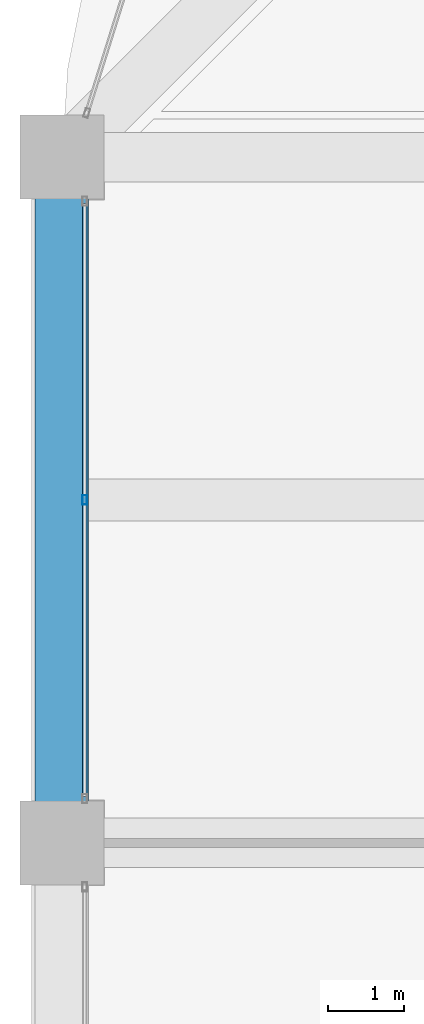
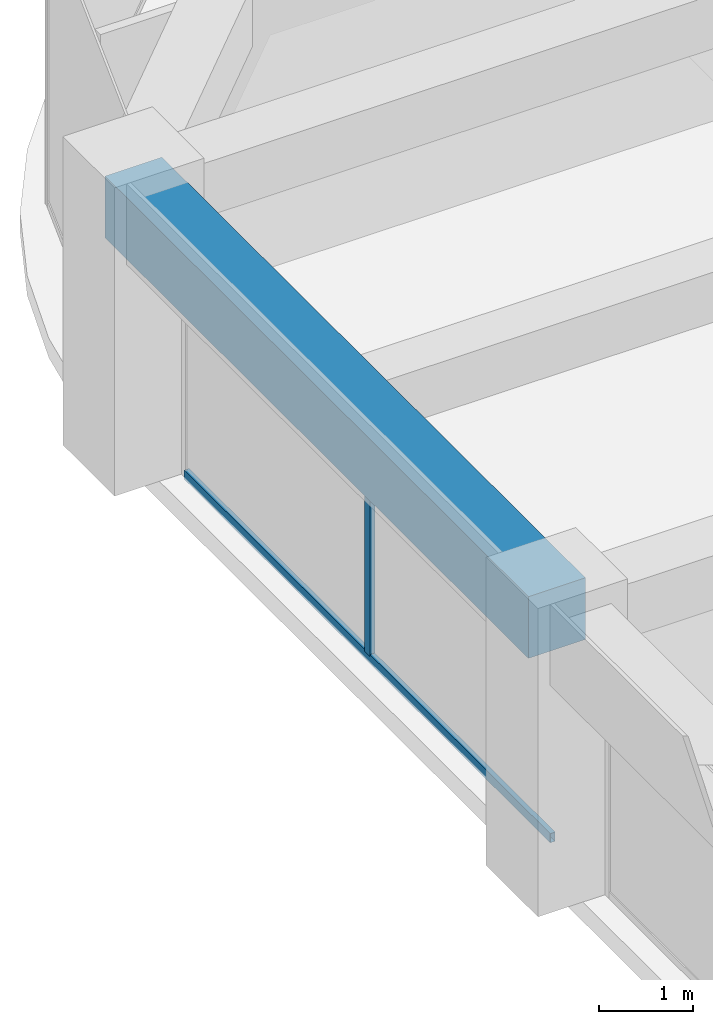
# One storey, part 16 of 44: 2 members, 1 beam, 1 element without a shape of its own.
"""IFC4 building model written with IfcOpenShell, lengths in metres."""

from ifc_helpers import new_model, si_unit, direction, frame, origin, origin_2d, place, context, subcontext, project, spatial, rectangle, hollow_rectangle, extrude, material, material_profile, profile_set, type_object, element, aggregate, save


model = new_model("IFC4")

# Units and contexts
model_context = context("Model", 3, precision=1e-05, world=origin(), true_north=direction((0.0, 1.0)))
body_context = subcontext(model_context, "Body", "Model", "MODEL_VIEW")
ifc_project = project(units=[si_unit("LENGTHUNIT", "METRE"), si_unit("AREAUNIT", "SQUARE_METRE"), si_unit("VOLUMEUNIT", "CUBIC_METRE"), si_unit("PLANEANGLEUNIT", "RADIAN"), si_unit("MASSUNIT", "GRAM", prefix="KILO")], contexts=[model_context])

# Site, building, storey
site_placement = place(None, origin())
site = spatial("IfcSite", under=ifc_project, at=site_placement, CompositionType="ELEMENT")
building_placement = place(site_placement, origin())
building = spatial("IfcBuilding", under=site, at=building_placement, Name="Zorevar Civic Tower", CompositionType="ELEMENT")
storey_placement = place(building_placement, frame((0.0, 0.0, 263.39990234375)))
storey = spatial("IfcBuildingStorey", under=building, at=storey_placement, Name="L64", CompositionType="ELEMENT", Elevation=263.39990234375)

# Curtain wall, members
ifc_material_1 = material(Name="Dark grey solar-control glass in black aluminium frame", Category="aluminium")
curtain_wall_type = type_object("IfcCurtainWallType", Name="Curtain wall CW5 top zone", PredefinedType="NOTDEFINED", material=ifc_material_1)
curtain_wall_placement = place(storey_placement, origin())
curtain_wall = element("IfcCurtainWall", 1, at=curtain_wall_placement, inside=storey, type_object=curtain_wall_type, Name="CW5 L64", PredefinedType="NOTDEFINED")
ifc_material_2 = material(Name="Aluminium, black anodised", Category="aluminium")
ifc_material_profile_1 = material_profile(ifc_material_2, hollow_rectangle(XDim=0.06005859375, YDim=0.1201171875, WallThickness=0.0029296875, at=origin_2d()), Name="AL 120x60x3")
ifc_profile_set_1 = profile_set([ifc_material_profile_1], Name="Aluminium, black anodised")
member_type_1 = type_object("IfcMemberType", Name="CW5 mullion AL 120x60x3", PredefinedType="MULLION", material=ifc_profile_set_1)
member_1_placement = place(storey_placement, frame((9.300048828125, 31.5, 0.06005859375), z_axis=(0.0, 0.0, 1.0), x_axis=(-1.0, 0.0, 0.0)))
member_1 = element("IfcMember", 2, at=member_1_placement, type_object=member_type_1, Name="CW5 mullion 2", PredefinedType="MULLION", context=body_context, shape_type="SweptSolid", body=[
    extrude(hollow_rectangle(XDim=0.06005859375, YDim=0.1201171875, WallThickness=0.0029296875, at=origin_2d()), origin(), (0.0, 0.0, 1.0), 2.89013671875),
])
ifc_material_3 = material(Name="Aluminium, black anodised", Category="aluminium")
ifc_material_profile_2 = material_profile(ifc_material_3, hollow_rectangle(XDim=0.06005859375, YDim=0.1201171875, WallThickness=0.0029296875, at=origin_2d()), Name="AL 120x60x3")
ifc_profile_set_2 = profile_set([ifc_material_profile_2], Name="Aluminium, black anodised")
member_type_2 = type_object("IfcMemberType", Name="CW5 transom AL 120x60x3", PredefinedType="USERDEFINED", material=ifc_profile_set_2)
member_2_placement = place(storey_placement, frame((9.300048828125, 27.610107421875, 0.030029296875), z_axis=(0.0, 1.0, 0.0), x_axis=(-1.0, 0.0, 0.0)))
member_2 = element("IfcMember", 3, at=member_2_placement, type_object=member_type_2, Name="CW5 sill transom", ObjectType="TRANSOM", PredefinedType="USERDEFINED", context=body_context, shape_type="SweptSolid", body=[
    extrude(hollow_rectangle(XDim=0.06005859375, YDim=0.1201171875, WallThickness=0.0029296875, at=origin_2d()), origin(), (0.0, 0.0, 1.0), 7.77978515625),
])
aggregate(curtain_wall, [member_1, member_2])

# Beam
ifc_material_4 = material(Name="Concrete C50/60", Category="concrete")
ifc_material_profile_3 = material_profile(ifc_material_4, rectangle(XDim=0.699951171875, YDim=0.800048828125, at=origin_2d()), Name="RC 700x800")
ifc_profile_set_3 = profile_set([ifc_material_profile_3], Name="Concrete C50/60")
beam_type = type_object("IfcBeamType", Name="Edge beam RC 700x800", PredefinedType="SPANDREL", material=ifc_profile_set_3)
beam_placement = place(storey_placement, frame((9.0, 27.0, 3.35009765625), z_axis=(0.0, 1.0, 0.0), x_axis=(-1.0, 0.0, 0.0)))
element("IfcBeam", 4, at=beam_placement, inside=storey, type_object=beam_type, Name="Edge beam L65", PredefinedType="SPANDREL", context=body_context, shape_type="SweptSolid", body=[
    extrude(rectangle(XDim=0.699951171875, YDim=0.800048828125, at=origin_2d()), origin(), (0.0, 0.0, 1.0), 9.0),
])

save(model, "model.ifc")
